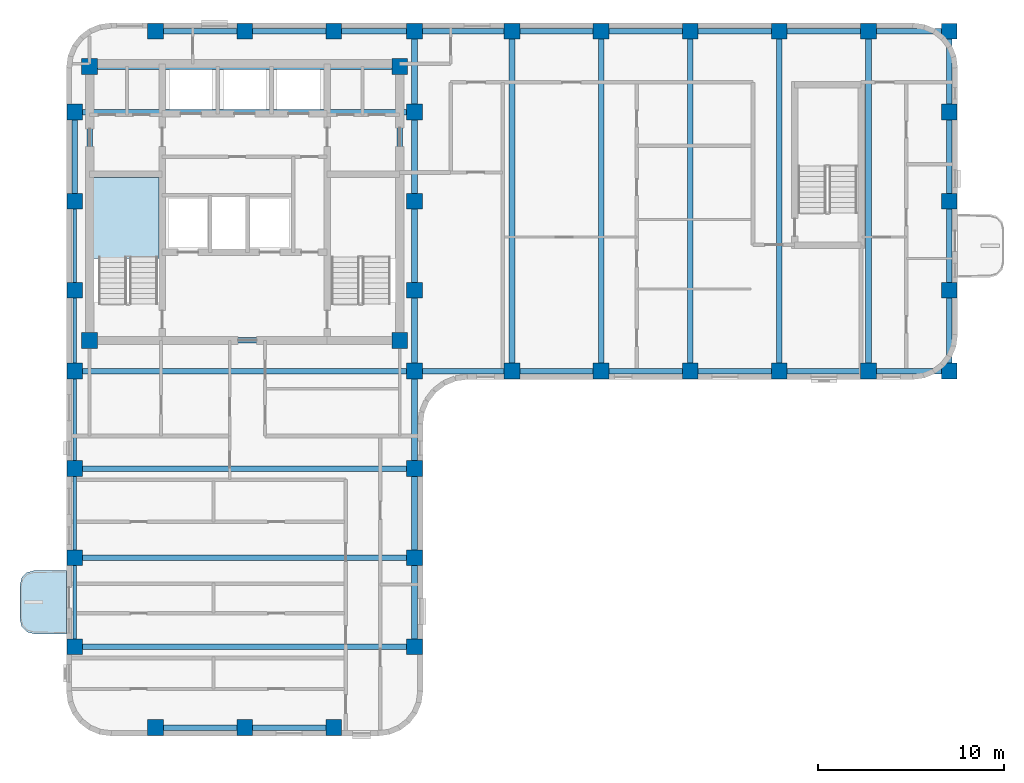
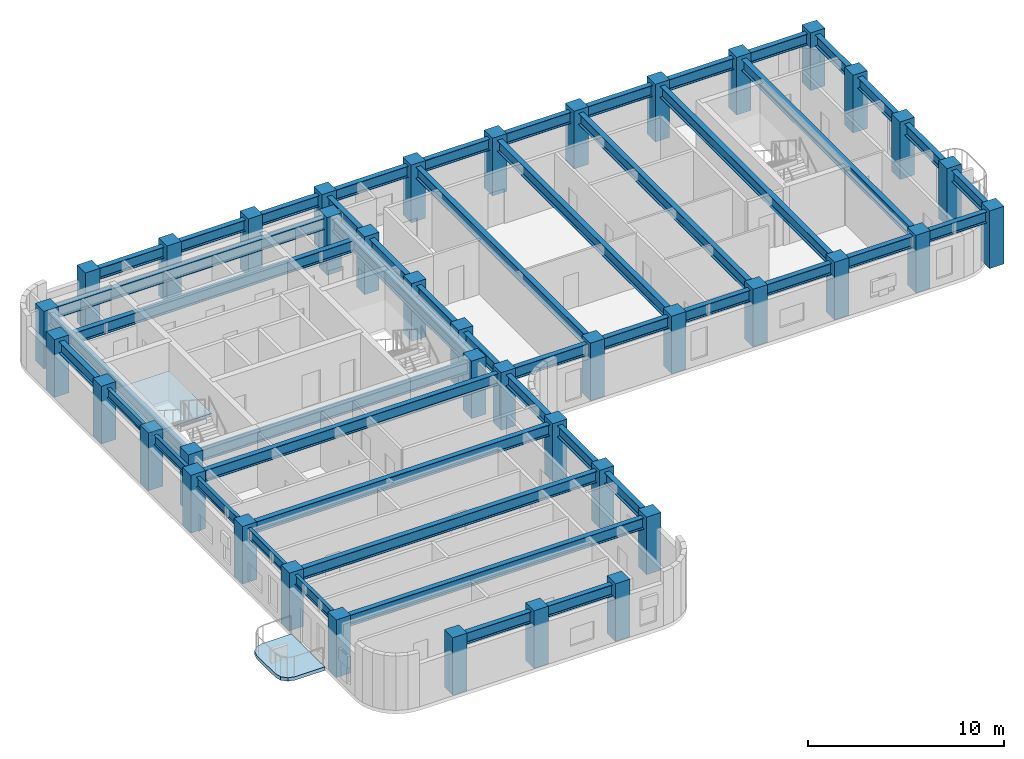
# One storey, part 1 of 10: 48 beams, 40 columns, 2 slabs, 1 element without a shape of its own.
"""IFC4 building model written with IfcOpenShell, lengths in metres."""

import ifcopenshell
import ifcopenshell.guid

model = None  # the IFC model being written
_history = None  # IfcOwnerHistory: only IFC2X3 demands one
_inside = {}  # id of a spatial element -> (the spatial element, [elements in it])
_under = {}  # id of a project, library or spatial element -> (it, [spatial elements below it])
_declared = {}  # id of a project -> (the project, [libraries it declares])
_typed = {}  # id of a type object -> (the type object, [elements of that type])
_made_of = {}  # id of a material, layer set ... -> (it, [elements and type objects made of it])


def new_model(schema):
    """Start an empty IFC model of exactly this schema.

    Asked for "IFC4X3", IfcOpenShell would pick the latest addendum, in which some entities
    have other attributes; the version numbers below select the first issue.
    IFC2X3 requires an IfcOwnerHistory on every rooted entity: one is made here for all.
    """
    global model, _history
    if schema == "IFC4X3":
        model = ifcopenshell.file(schema_version=(4, 3, 0, 0))
    else:
        model = ifcopenshell.file(schema=schema)
    _inside.clear()
    _under.clear()
    _declared.clear()
    _typed.clear()
    _made_of.clear()
    _history = None
    if model.schema == "IFC2X3":
        org = make("IfcOrganization", Name="unknown")
        user = make(
            "IfcPersonAndOrganization",
            ThePerson=make("IfcPerson", FamilyName="unknown"),
            TheOrganization=org,
        )
        app = make(
            "IfcApplication",
            ApplicationDeveloper=org,
            Version="unknown",
            ApplicationFullName="unknown",
            ApplicationIdentifier="unknown",
        )
        _history = make(
            "IfcOwnerHistory",
            OwningUser=user,
            OwningApplication=app,
            ChangeAction="ADDED",
            CreationDate=0,
        )
    return model


def make(cls, **values):
    """One entity of the class cls with the attributes given. An attribute that is None is left unset."""
    return model.create_entity(
        cls, **{name: value for name, value in values.items() if value is not None}
    )


def rooted(cls, **values):
    """An entity with a GlobalId (a new one), such as an element, a storey or a relation."""
    return make(cls, GlobalId=ifcopenshell.guid.new(), OwnerHistory=_history, **values)


def si_unit(unit_type, name, prefix=None):
    """IfcSIUnit, for example si_unit("LENGTHUNIT", "METRE", prefix="MILLI")."""
    return make("IfcSIUnit", UnitType=unit_type, Prefix=prefix, Name=name)


def assignment(units):
    """IfcUnitAssignment: the units of a project."""
    return None if units is None else make("IfcUnitAssignment", Units=units)


def point(xyz):
    """IfcCartesianPoint."""
    return None if xyz is None else make("IfcCartesianPoint", Coordinates=xyz)


def direction(xyz):
    """IfcDirection."""
    return None if xyz is None else make("IfcDirection", DirectionRatios=xyz)


def frame(location, z_axis=None, x_axis=None):
    """IfcAxis2Placement3D, a coordinate frame: its origin and axes. An axis left out is left unset."""
    return make(
        "IfcAxis2Placement3D",
        Location=point(location),
        Axis=direction(z_axis),
        RefDirection=direction(x_axis),
    )


def frame_2d(location, x_axis=None):
    """IfcAxis2Placement2D, a coordinate frame in the plane: its origin and x axis."""
    return make(
        "IfcAxis2Placement2D", Location=point(location), RefDirection=direction(x_axis)
    )


def origin():
    """The frame at (0, 0, 0) with its axes left unset."""
    return frame((0.0, 0.0, 0.0))


def origin_2d():
    """The frame at (0, 0) in the plane with its x axis left unset."""
    return frame_2d((0.0, 0.0))


def place(relative_to, where):
    """IfcLocalPlacement: puts the frame where relative to a parent placement (None: the world)."""
    return make(
        "IfcLocalPlacement", PlacementRelTo=relative_to, RelativePlacement=where
    )


def context(
    kind, dimensions, precision=None, world=None, true_north=None, identifier=None
):
    """IfcGeometricRepresentationContext, for example the 3D "Model" context."""
    return make(
        "IfcGeometricRepresentationContext",
        ContextIdentifier=identifier,
        ContextType=kind,
        CoordinateSpaceDimension=dimensions,
        Precision=precision,
        WorldCoordinateSystem=world,
        TrueNorth=true_north,
    )


def subcontext(parent, identifier, kind, view, scale=None):
    """IfcGeometricRepresentationSubContext, for example "Body" below "Model"."""
    return make(
        "IfcGeometricRepresentationSubContext",
        ContextIdentifier=identifier,
        ContextType=kind,
        ParentContext=parent,
        TargetScale=scale,
        TargetView=view,
    )


def project(units=None, contexts=None):
    """IfcProject with its units and contexts."""
    return rooted(
        "IfcProject",
        Name="project",
        RepresentationContexts=contexts,
        UnitsInContext=assignment(units),
    )


def spatial(cls, under=None, at=None, **own):
    """A site, building, storey or space (cls), placed at a placement, below another one or the project."""
    s = rooted(cls, ObjectPlacement=at, **own)
    if under is not None:
        _under.setdefault(under.id(), (under, []))[1].append(s)
    return s


def polyline(points):
    """IfcPolyline through the points."""
    return make("IfcPolyline", Points=[point(p) for p in points])


def profile(cls, at=None, kind="AREA", **sizes):
    """A parametric profile (cls). Its sizes go by their IFC names, for example OverallWidth=200.0."""
    return make(cls, ProfileType=kind, Position=at, **sizes)


def rectangle(**sizes):
    """IfcRectangleProfileDef."""
    return profile("IfcRectangleProfileDef", **sizes)


def i_section(**sizes):
    """IfcIShapeProfileDef."""
    return profile("IfcIShapeProfileDef", **sizes)


def outline(outer, holes=None, kind="AREA"):
    """IfcArbitraryClosedProfileDef: a profile drawn as a closed curve; with holes, ...WithVoids."""
    if holes is None:
        return make("IfcArbitraryClosedProfileDef", ProfileType=kind, OuterCurve=outer)
    return make(
        "IfcArbitraryProfileDefWithVoids",
        ProfileType=kind,
        OuterCurve=outer,
        InnerCurves=holes,
    )


def extrude(swept, where, along, depth):
    """IfcExtrudedAreaSolid: the profile swept, set in the frame where, extruded along a direction by depth."""
    return make(
        "IfcExtrudedAreaSolid",
        SweptArea=swept,
        Position=where,
        ExtrudedDirection=direction(along),
        Depth=depth,
    )


def shape(context_of_items, identifier, shape_type, items):
    """IfcShapeRepresentation: the items that make up one representation, for example the "Body"."""
    return make(
        "IfcShapeRepresentation",
        ContextOfItems=context_of_items,
        RepresentationIdentifier=identifier,
        RepresentationType=shape_type,
        Items=items,
    )


def material(Name=None, Category=None):
    """IfcMaterial."""
    return make("IfcMaterial", Name=Name, Category=Category)


def layer(
    of_material, thickness, ventilated=None, Name=None, Category=None, Priority=None
):
    """IfcMaterialLayer: one layer of a wall or slab, of a material (None: an air gap)."""
    return make(
        "IfcMaterialLayer",
        Material=of_material,
        LayerThickness=thickness,
        IsVentilated=ventilated,
        Name=Name,
        Category=Category,
        Priority=Priority,
    )


def layer_set(layers, Name=None):
    """IfcMaterialLayerSet."""
    return make("IfcMaterialLayerSet", MaterialLayers=layers, LayerSetName=Name)


def material_profile(
    of_material, cross_section, Name=None, Category=None, Priority=None
):
    """IfcMaterialProfile: a cross section and its material."""
    return make(
        "IfcMaterialProfile",
        Name=Name,
        Material=of_material,
        Profile=cross_section,
        Priority=Priority,
        Category=Category,
    )


def profile_set(profiles, Name=None, composite=None):
    """IfcMaterialProfileSet."""
    return make(
        "IfcMaterialProfileSet",
        Name=Name,
        MaterialProfiles=profiles,
        CompositeProfile=composite,
    )


def made_of(thing, what):
    """Note that an element or type object is made of a material, layer set ...; save() writes the relation."""
    if what is not None:
        _made_of.setdefault(what.id(), (what, []))[1].append(thing)
    return thing


def type_object(cls, material=None, **own):
    """A type object (cls), such as IfcWallType, which elements share."""
    return made_of(rooted(cls, **own), material)


def element(
    cls,
    number,
    at=None,
    inside=None,
    cuts=None,
    type_object=None,
    material=None,
    context=None,
    identifier="Body",
    shape_type=None,
    held_by="IfcProductDefinitionShape",
    body=None,
    shapes=None,
    **own,
):
    """One element of the class cls, such as IfcWall. Its Tag is "e" and its number.

    at: its placement. inside: the storey or other place that contains it. cuts: it is an
    opening in that element (IfcRelVoidsElement). A single representation is given by context,
    identifier, shape_type and body (its items); several are given by shapes. held_by: the class
    of the entity that holds the representations. save() writes the other relations.
    """
    e = rooted(cls, Tag="e%d" % number, ObjectPlacement=at, **own)
    if body is not None:
        shapes = [shape(context, identifier, shape_type, body)]
    if shapes is not None:
        e.Representation = make(held_by, Representations=shapes)
    if inside is not None:
        _inside.setdefault(inside.id(), (inside, []))[1].append(e)
    if cuts is not None:
        rooted(
            "IfcRelVoidsElement", RelatingBuildingElement=cuts, RelatedOpeningElement=e
        )
    if type_object is not None:
        _typed.setdefault(type_object.id(), (type_object, []))[1].append(e)
    return made_of(e, material)


def aggregate(whole, parts):
    """IfcRelAggregates: a whole, such as a stair, and the parts it consists of."""
    return rooted("IfcRelAggregates", RelatingObject=whole, RelatedObjects=parts)


def save(model, path):
    """Write the relations noted so far, then the file.

    IfcRelAggregates (storeys below a building ...), IfcRelContainedInSpatialStructure (elements
    in a storey), IfcRelDefinesByType, IfcRelAssociatesMaterial and IfcRelDeclares: one each for
    every whole, place, type object, material and project.
    """
    for whole, parts in _under.values():
        aggregate(whole, parts)
    for where, things in _inside.values():
        rooted(
            "IfcRelContainedInSpatialStructure",
            RelatedElements=things,
            RelatingStructure=where,
        )
    for kind, things in _typed.values():
        rooted("IfcRelDefinesByType", RelatedObjects=things, RelatingType=kind)
    for what, things in _made_of.values():
        rooted("IfcRelAssociatesMaterial", RelatedObjects=things, RelatingMaterial=what)
    for by, libraries in _declared.values():
        rooted("IfcRelDeclares", RelatingContext=by, RelatedDefinitions=libraries)
    model.write(path)


model = new_model("IFC4")

# Units and contexts
model_context = context("Model", 3, precision=1e-05, world=origin(), true_north=direction((0.0, 1.0)))
body_context = subcontext(model_context, "Body", "Model", "MODEL_VIEW")
ifc_project = project(units=[si_unit("LENGTHUNIT", "METRE"), si_unit("AREAUNIT", "SQUARE_METRE"), si_unit("VOLUMEUNIT", "CUBIC_METRE"), si_unit("PLANEANGLEUNIT", "RADIAN"), si_unit("MASSUNIT", "GRAM", prefix="KILO")], contexts=[model_context])

# Site, building, storey
site_placement = place(None, origin())
site = spatial("IfcSite", under=ifc_project, at=site_placement, CompositionType="ELEMENT")
building_placement = place(site_placement, origin())
building = spatial("IfcBuilding", under=site, at=building_placement, Name="Orvandelia Arch Residences", CompositionType="ELEMENT")
storey_placement = place(building_placement, frame((0.0, 0.0, 229.0)))
storey = spatial("IfcBuildingStorey", under=building, at=storey_placement, Name="L60", CompositionType="ELEMENT", Elevation=229.0)

# Columns
ifc_material_1 = material(Name="Concrete C60/75", Category="concrete")
ifc_material_profile_1 = material_profile(ifc_material_1, rectangle(XDim=0.85009765625, YDim=0.85009765625, at=origin_2d()), Name="Concrete C60/75", Category="concrete")
ifc_profile_set_1 = profile_set([ifc_material_profile_1], Name="Concrete C60/75")
column_type = type_object("IfcColumnType", Name="COL-TWR-850", PredefinedType="COLUMN", material=ifc_profile_set_1)
for number, where, z_axis, x_axis, name in (
    (1, (5.25, 14.39990234375, 0.0), (0.0, 0.0, 1.0), (1.0, 0.0, 0.0), "Structural Column L60-W-W-144"),
    (2, (5.25, 19.199951171875, 0.0), (0.0, 0.0, 1.0), (1.0, 0.0, 0.0), "Structural Column L60-W-W-192"),
    (3, (5.25, 24.0, 0.0), (0.0, 0.0, 1.0), (1.0, 0.0, 0.0), "Structural Column L60-W-W-240"),
    (4, (5.25, 29.25, 0.0), (0.0, 0.0, 1.0), (1.0, 0.0, 0.0), "Structural Column L60-W-W-292"),
    (5, (5.25, 33.60009765625, 0.0), (0.0, 0.0, 1.0), (1.0, 0.0, 0.0), "Structural Column L60-W-W-336"),
    (6, (5.25, 38.39990234375, 0.0), (0.0, 0.0, 1.0), (1.0, 0.0, 0.0), "Structural Column L60-W-W-384"),
    (7, (5.25, 43.199951171875, 0.0), (0.0, 0.0, 1.0), (1.0, 0.0, 0.0), "Structural Column L60-W-W-432"),
    (8, (6.050048828125, 30.89990234375, 0.0), (0.0, 0.0, 1.0), (1.0, 0.0, 0.0), "Structural Column L60-CR-SW"),
    (9, (6.050048828125, 45.64990234375, 0.0), (0.0, 0.0, 1.0), (1.0, 0.0, 0.0), "Structural Column L60-CR-NW"),
    (10, (9.60009765625, 10.050048828125, 0.0), (0.0, 0.0, 1.0), (1.0, 0.0, 0.0), "Structural Column L60-W-S-96"),
    (11, (9.60009765625, 47.550048828125, 0.0), (0.0, 0.0, 1.0), (1.0, 0.0, 0.0), "Structural Column L60-W-N-96"),
    (12, (14.39990234375, 10.050048828125, 0.0), (0.0, 0.0, 1.0), (1.0, 0.0, 0.0), "Structural Column L60-W-S-144"),
    (13, (14.39990234375, 47.550048828125, 0.0), (0.0, 0.0, 1.0), (1.0, 0.0, 0.0), "Structural Column L60-W-N-144"),
    (14, (19.199951171875, 10.050048828125, 0.0), (0.0, 0.0, 1.0), (1.0, 0.0, 0.0), "Structural Column L60-W-S-192"),
    (15, (19.199951171875, 47.550048828125, 0.0), (0.0, 0.0, 1.0), (1.0, 0.0, 0.0), "Structural Column L60-W-N-192"),
    (16, (22.75, 30.89990234375, 0.0), (0.0, 0.0, 1.0), (1.0, 0.0, 0.0), "Structural Column L60-CR-SE"),
    (17, (22.75, 45.64990234375, 0.0), (0.0, 0.0, 1.0), (1.0, 0.0, 0.0), "Structural Column L60-CR-NE"),
    (18, (23.550048828125, 14.39990234375, 0.0), (0.0, 0.0, 1.0), (1.0, 0.0, 0.0), "Structural Column L60-W-E-144"),
    (19, (23.550048828125, 19.199951171875, 0.0), (0.0, 0.0, 1.0), (1.0, 0.0, 0.0), "Structural Column L60-W-E-192"),
    (20, (23.550048828125, 24.0, 0.0), (0.0, 0.0, 1.0), (1.0, 0.0, 0.0), "Structural Column L60-W-E-240"),
    (21, (23.550048828125, 29.25, 0.0), (0.0, 0.0, 1.0), (1.0, 0.0, 0.0), "Structural Column L60-W-E-292"),
    (22, (23.550048828125, 33.60009765625, 0.0), (0.0, 0.0, 1.0), (1.0, 0.0, 0.0), "Structural Column L60-W-E-336"),
    (23, (23.550048828125, 38.39990234375, 0.0), (0.0, 0.0, 1.0), (1.0, 0.0, 0.0), "Structural Column L60-W-E-384"),
    (24, (23.550048828125, 43.199951171875, 0.0), (0.0, 0.0, 1.0), (1.0, 0.0, 0.0), "Structural Column L60-W-E-432"),
    (25, (23.550048828125, 47.550048828125, 0.0), (0.0, 0.0, 1.0), (1.0, 0.0, 0.0), "Structural Column L60-W-N-235"),
    (26, (28.800048828125, 29.25, 0.0), (0.0, 0.0, 1.0), (1.0, 0.0, 0.0), "Structural Column L60-E-S-288"),
    (27, (28.800048828125, 47.550048828125, 0.0), (0.0, 0.0, 1.0), (1.0, 0.0, 0.0), "Structural Column L60-E-N-288"),
    (28, (33.60009765625, 29.25, 0.0), (0.0, 0.0, 1.0), (1.0, 0.0, 0.0), "Structural Column L60-E-S-336"),
    (29, (33.60009765625, 47.550048828125, 0.0), (0.0, 0.0, 1.0), (1.0, 0.0, 0.0), "Structural Column L60-E-N-336"),
    (30, (38.39990234375, 29.25, 0.0), (0.0, 0.0, 1.0), (1.0, 0.0, 0.0), "Structural Column L60-E-S-384"),
    (31, (38.39990234375, 47.550048828125, 0.0), (0.0, 0.0, 1.0), (1.0, 0.0, 0.0), "Structural Column L60-E-N-384"),
    (32, (43.199951171875, 29.25, 0.0), (0.0, 0.0, 1.0), (1.0, 0.0, 0.0), "Structural Column L60-E-S-432"),
    (33, (43.199951171875, 47.550048828125, 0.0), (0.0, 0.0, 1.0), (1.0, 0.0, 0.0), "Structural Column L60-E-N-432"),
    (34, (48.0, 29.25, 0.0), (0.0, 0.0, 1.0), (1.0, 0.0, 0.0), "Structural Column L60-E-S-480"),
    (35, (48.0, 47.550048828125, 0.0), (0.0, 0.0, 1.0), (1.0, 0.0, 0.0), "Structural Column L60-E-N-480"),
    (36, (52.35009765625, 29.25, 0.0), (0.0, 0.0, 1.0), (1.0, 0.0, 0.0), "Structural Column L60-E-S-523"),
    (37, (52.35009765625, 33.60009765625, 0.0), (0.0, 0.0, 1.0), (1.0, 0.0, 0.0), "Structural Column L60-E-523-336"),
    (38, (52.35009765625, 38.39990234375, 0.0), (0.0, 0.0, 1.0), (1.0, 0.0, 0.0), "Structural Column L60-E-523-384"),
    (39, (52.35009765625, 43.199951171875, 0.0), (0.0, 0.0, 1.0), (1.0, 0.0, 0.0), "Structural Column L60-E-523-432"),
    (40, (52.35009765625, 47.550048828125, 0.0), (0.0, 0.0, 1.0), (1.0, 0.0, 0.0), "Structural Column L60-E-N-523"),
):
    element("IfcColumn", number, at=place(storey_placement, frame(where, z_axis=z_axis, x_axis=x_axis)), inside=storey, type_object=column_type, Name=name, PredefinedType="COLUMN", context=body_context, shape_type="SweptSolid", body=[
        extrude(rectangle(XDim=0.85009765625, YDim=0.85009765625, at=origin_2d()), origin(), (0.0, 0.0, 1.0), 3.60009765625),
    ])

# Beams
ifc_material_2 = material(Name="Structural Steel SM355 (355 MPa)", Category="steel")
ifc_material_profile_2 = material_profile(ifc_material_2, i_section(OverallWidth=0.300048828125, OverallDepth=0.699951171875, WebThickness=0.012939453125, FlangeThickness=0.02392578125, FilletRadius=0.02392578125, at=origin_2d()), Name="Structural Steel SM355 (355 MPa)", Category="steel")
ifc_profile_set_2 = profile_set([ifc_material_profile_2], Name="Structural Steel SM355 (355 MPa)")
beam_type_1 = type_object("IfcBeamType", Name="BM-GRD-H700", PredefinedType="BEAM", material=ifc_profile_set_2)
beam_1_placement = place(storey_placement, frame((5.25, 38.39990234375, 3.030029296875), z_axis=(0.0, 1.0, 0.0), x_axis=(-1.0, 0.0, 0.0)))
element("IfcBeam", 41, at=beam_1_placement, inside=storey, type_object=beam_type_1, Name="Structural Frame Beam L60-NS-006", PredefinedType="BEAM", context=body_context, shape_type="SweptSolid", body=[
    extrude(i_section(OverallWidth=0.300048828125, OverallDepth=0.699951171875, WebThickness=0.012939453125, FlangeThickness=0.02392578125, FilletRadius=0.02392578125, at=origin_2d()), origin(), (0.0, 0.0, 1.0), 4.800048828125),
])
for number, where, z_axis, x_axis, name in (
    (42, (6.050048828125, 30.89990234375, 3.030029296875), (0.0, 1.0, 0.0), (-1.0, 0.0, 0.0), "Structural Frame Beam L60-NS-007"),
    (43, (22.75, 30.89990234375, 3.030029296875), (0.0, 1.0, 0.0), (-1.0, 0.0, 0.0), "Structural Frame Beam L60-NS-008"),
):
    element("IfcBeam", number, at=place(storey_placement, frame(where, z_axis=z_axis, x_axis=x_axis)), inside=storey, type_object=beam_type_1, Name=name, PredefinedType="BEAM", context=body_context, shape_type="SweptSolid", body=[
        extrude(i_section(OverallWidth=0.300048828125, OverallDepth=0.699951171875, WebThickness=0.012939453125, FlangeThickness=0.02392578125, FilletRadius=0.02392578125, at=origin_2d()), origin(), (0.0, 0.0, 1.0), 14.75),
    ])
for number, where, z_axis, x_axis, name in (
    (44, (23.550048828125, 14.39990234375, 3.030029296875), (0.0, 1.0, 0.0), (-1.0, 0.0, 0.0), "Structural Frame Beam L60-NS-009"),
    (45, (23.550048828125, 19.199951171875, 3.030029296875), (0.0, 1.0, 0.0), (-1.0, 0.0, 0.0), "Structural Frame Beam L60-NS-010"),
):
    element("IfcBeam", number, at=place(storey_placement, frame(where, z_axis=z_axis, x_axis=x_axis)), inside=storey, type_object=beam_type_1, Name=name, PredefinedType="BEAM", context=body_context, shape_type="SweptSolid", body=[
        extrude(i_section(OverallWidth=0.300048828125, OverallDepth=0.699951171875, WebThickness=0.012939453125, FlangeThickness=0.02392578125, FilletRadius=0.02392578125, at=origin_2d()), origin(), (0.0, 0.0, 1.0), 4.800048828125),
    ])
beam_2_placement = place(storey_placement, frame((23.550048828125, 24.0, 3.030029296875), z_axis=(0.0, 1.0, 0.0), x_axis=(-1.0, 0.0, 0.0)))
element("IfcBeam", 46, at=beam_2_placement, inside=storey, type_object=beam_type_1, Name="Structural Frame Beam L60-NS-011", PredefinedType="BEAM", context=body_context, shape_type="SweptSolid", body=[
    extrude(i_section(OverallWidth=0.300048828125, OverallDepth=0.699951171875, WebThickness=0.012939453125, FlangeThickness=0.02392578125, FilletRadius=0.02392578125, at=origin_2d()), origin(), (0.0, 0.0, 1.0), 5.25),
])
beam_3_placement = place(storey_placement, frame((23.550048828125, 29.25, 3.030029296875), z_axis=(0.0, 1.0, 0.0), x_axis=(-1.0, 0.0, 0.0)))
element("IfcBeam", 47, at=beam_3_placement, inside=storey, type_object=beam_type_1, Name="Structural Frame Beam L60-NS-012", PredefinedType="BEAM", context=body_context, shape_type="SweptSolid", body=[
    extrude(i_section(OverallWidth=0.300048828125, OverallDepth=0.699951171875, WebThickness=0.012939453125, FlangeThickness=0.02392578125, FilletRadius=0.02392578125, at=origin_2d()), origin(), (0.0, 0.0, 1.0), 4.35009765625),
])
beam_4_placement = place(storey_placement, frame((23.550048828125, 33.60009765625, 3.030029296875), z_axis=(0.0, 1.0, 0.0), x_axis=(-1.0, 0.0, 0.0)))
element("IfcBeam", 48, at=beam_4_placement, inside=storey, type_object=beam_type_1, Name="Structural Frame Beam L60-NS-013", PredefinedType="BEAM", context=body_context, shape_type="SweptSolid", body=[
    extrude(i_section(OverallWidth=0.300048828125, OverallDepth=0.699951171875, WebThickness=0.012939453125, FlangeThickness=0.02392578125, FilletRadius=0.02392578125, at=origin_2d()), origin(), (0.0, 0.0, 1.0), 4.7998046875),
])
beam_5_placement = place(storey_placement, frame((23.550048828125, 38.39990234375, 3.030029296875), z_axis=(0.0, 1.0, 0.0), x_axis=(-1.0, 0.0, 0.0)))
element("IfcBeam", 49, at=beam_5_placement, inside=storey, type_object=beam_type_1, Name="Structural Frame Beam L60-NS-014", PredefinedType="BEAM", context=body_context, shape_type="SweptSolid", body=[
    extrude(i_section(OverallWidth=0.300048828125, OverallDepth=0.699951171875, WebThickness=0.012939453125, FlangeThickness=0.02392578125, FilletRadius=0.02392578125, at=origin_2d()), origin(), (0.0, 0.0, 1.0), 4.800048828125),
])
beam_6_placement = place(storey_placement, frame((23.550048828125, 43.199951171875, 3.030029296875), z_axis=(0.0, 1.0, 0.0), x_axis=(-1.0, 0.0, 0.0)))
element("IfcBeam", 50, at=beam_6_placement, inside=storey, type_object=beam_type_1, Name="Structural Frame Beam L60-NS-015", PredefinedType="BEAM", context=body_context, shape_type="SweptSolid", body=[
    extrude(i_section(OverallWidth=0.300048828125, OverallDepth=0.699951171875, WebThickness=0.012939453125, FlangeThickness=0.02392578125, FilletRadius=0.02392578125, at=origin_2d()), origin(), (0.0, 0.0, 1.0), 4.35009765625),
])
for number, where, z_axis, x_axis, name in (
    (51, (28.800048828125, 29.25, 3.030029296875), (0.0, 1.0, 0.0), (-1.0, 0.0, 0.0), "Structural Frame Beam L60-NS-016"),
    (52, (33.60009765625, 29.25, 3.030029296875), (0.0, 1.0, 0.0), (-1.0, 0.0, 0.0), "Structural Frame Beam L60-NS-017"),
    (53, (38.39990234375, 29.25, 3.030029296875), (0.0, 1.0, 0.0), (-1.0, 0.0, 0.0), "Structural Frame Beam L60-NS-018"),
    (54, (43.199951171875, 29.25, 3.030029296875), (0.0, 1.0, 0.0), (-1.0, 0.0, 0.0), "Structural Frame Beam L60-NS-019"),
    (55, (48.0, 29.25, 3.030029296875), (0.0, 1.0, 0.0), (-1.0, 0.0, 0.0), "Structural Frame Beam L60-NS-020"),
):
    element("IfcBeam", number, at=place(storey_placement, frame(where, z_axis=z_axis, x_axis=x_axis)), inside=storey, type_object=beam_type_1, Name=name, PredefinedType="BEAM", context=body_context, shape_type="SweptSolid", body=[
        extrude(i_section(OverallWidth=0.300048828125, OverallDepth=0.699951171875, WebThickness=0.012939453125, FlangeThickness=0.02392578125, FilletRadius=0.02392578125, at=origin_2d()), origin(), (0.0, 0.0, 1.0), 18.300048828125),
    ])
beam_7_placement = place(storey_placement, frame((52.35009765625, 29.25, 3.030029296875), z_axis=(0.0, 1.0, 0.0), x_axis=(-1.0, 0.0, 0.0)))
element("IfcBeam", 56, at=beam_7_placement, inside=storey, type_object=beam_type_1, Name="Structural Frame Beam L60-NS-021", PredefinedType="BEAM", context=body_context, shape_type="SweptSolid", body=[
    extrude(i_section(OverallWidth=0.300048828125, OverallDepth=0.699951171875, WebThickness=0.012939453125, FlangeThickness=0.02392578125, FilletRadius=0.02392578125, at=origin_2d()), origin(), (0.0, 0.0, 1.0), 4.35009765625),
])
beam_8_placement = place(storey_placement, frame((52.35009765625, 33.60009765625, 3.030029296875), z_axis=(0.0, 1.0, 0.0), x_axis=(-1.0, 0.0, 0.0)))
element("IfcBeam", 57, at=beam_8_placement, inside=storey, type_object=beam_type_1, Name="Structural Frame Beam L60-NS-022", PredefinedType="BEAM", context=body_context, shape_type="SweptSolid", body=[
    extrude(i_section(OverallWidth=0.300048828125, OverallDepth=0.699951171875, WebThickness=0.012939453125, FlangeThickness=0.02392578125, FilletRadius=0.02392578125, at=origin_2d()), origin(), (0.0, 0.0, 1.0), 4.7998046875),
])
beam_9_placement = place(storey_placement, frame((52.35009765625, 38.39990234375, 3.030029296875), z_axis=(0.0, 1.0, 0.0), x_axis=(-1.0, 0.0, 0.0)))
element("IfcBeam", 58, at=beam_9_placement, inside=storey, type_object=beam_type_1, Name="Structural Frame Beam L60-NS-023", PredefinedType="BEAM", context=body_context, shape_type="SweptSolid", body=[
    extrude(i_section(OverallWidth=0.300048828125, OverallDepth=0.699951171875, WebThickness=0.012939453125, FlangeThickness=0.02392578125, FilletRadius=0.02392578125, at=origin_2d()), origin(), (0.0, 0.0, 1.0), 4.800048828125),
])
beam_10_placement = place(storey_placement, frame((52.35009765625, 43.199951171875, 3.030029296875), z_axis=(0.0, 1.0, 0.0), x_axis=(-1.0, 0.0, 0.0)))
element("IfcBeam", 59, at=beam_10_placement, inside=storey, type_object=beam_type_1, Name="Structural Frame Beam L60-NS-024", PredefinedType="BEAM", context=body_context, shape_type="SweptSolid", body=[
    extrude(i_section(OverallWidth=0.300048828125, OverallDepth=0.699951171875, WebThickness=0.012939453125, FlangeThickness=0.02392578125, FilletRadius=0.02392578125, at=origin_2d()), origin(), (0.0, 0.0, 1.0), 4.35009765625),
])
beam_11_placement = place(storey_placement, frame((9.60009765625, 10.050048828125, 3.030029296875), z_axis=(1.0, 0.0, 0.0), x_axis=(0.0, 1.0, 0.0)))
element("IfcBeam", 60, at=beam_11_placement, inside=storey, type_object=beam_type_1, Name="Structural Frame Girder L60-EW-025", PredefinedType="BEAM", context=body_context, shape_type="SweptSolid", body=[
    extrude(i_section(OverallWidth=0.300048828125, OverallDepth=0.699951171875, WebThickness=0.012939453125, FlangeThickness=0.02392578125, FilletRadius=0.02392578125, at=origin_2d()), origin(), (0.0, 0.0, 1.0), 4.7998046875),
])
beam_12_placement = place(storey_placement, frame((14.39990234375, 10.050048828125, 3.030029296875), z_axis=(1.0, 0.0, 0.0), x_axis=(0.0, 1.0, 0.0)))
element("IfcBeam", 61, at=beam_12_placement, inside=storey, type_object=beam_type_1, Name="Structural Frame Girder L60-EW-026", PredefinedType="BEAM", context=body_context, shape_type="SweptSolid", body=[
    extrude(i_section(OverallWidth=0.300048828125, OverallDepth=0.699951171875, WebThickness=0.012939453125, FlangeThickness=0.02392578125, FilletRadius=0.02392578125, at=origin_2d()), origin(), (0.0, 0.0, 1.0), 4.800048828125),
])
for number, where, z_axis, x_axis, name in (
    (62, (5.25, 14.39990234375, 3.030029296875), (1.0, 0.0, 0.0), (0.0, 1.0, 0.0), "Structural Frame Girder L60-EW-027"),
    (63, (5.25, 19.199951171875, 3.030029296875), (1.0, 0.0, 0.0), (0.0, 1.0, 0.0), "Structural Frame Girder L60-EW-028"),
    (64, (5.25, 24.0, 3.030029296875), (1.0, 0.0, 0.0), (0.0, 1.0, 0.0), "Structural Frame Girder L60-EW-029"),
    (65, (5.25, 29.25, 3.030029296875), (1.0, 0.0, 0.0), (0.0, 1.0, 0.0), "Structural Frame Girder L60-EW-030"),
):
    element("IfcBeam", number, at=place(storey_placement, frame(where, z_axis=z_axis, x_axis=x_axis)), inside=storey, type_object=beam_type_1, Name=name, PredefinedType="BEAM", context=body_context, shape_type="SweptSolid", body=[
        extrude(i_section(OverallWidth=0.300048828125, OverallDepth=0.699951171875, WebThickness=0.012939453125, FlangeThickness=0.02392578125, FilletRadius=0.02392578125, at=origin_2d()), origin(), (0.0, 0.0, 1.0), 18.300048828125),
    ])
beam_13_placement = place(storey_placement, frame((23.550048828125, 29.25, 3.030029296875), z_axis=(1.0, 0.0, 0.0), x_axis=(0.0, 1.0, 0.0)))
element("IfcBeam", 66, at=beam_13_placement, inside=storey, type_object=beam_type_1, Name="Structural Frame Girder L60-EW-031", PredefinedType="BEAM", context=body_context, shape_type="SweptSolid", body=[
    extrude(i_section(OverallWidth=0.300048828125, OverallDepth=0.699951171875, WebThickness=0.012939453125, FlangeThickness=0.02392578125, FilletRadius=0.02392578125, at=origin_2d()), origin(), (0.0, 0.0, 1.0), 5.25),
])
beam_14_placement = place(storey_placement, frame((28.800048828125, 29.25, 3.030029296875), z_axis=(1.0, 0.0, 0.0), x_axis=(0.0, 1.0, 0.0)))
element("IfcBeam", 67, at=beam_14_placement, inside=storey, type_object=beam_type_1, Name="Structural Frame Girder L60-EW-032", PredefinedType="BEAM", context=body_context, shape_type="SweptSolid", body=[
    extrude(i_section(OverallWidth=0.300048828125, OverallDepth=0.699951171875, WebThickness=0.012939453125, FlangeThickness=0.02392578125, FilletRadius=0.02392578125, at=origin_2d()), origin(), (0.0, 0.0, 1.0), 4.800048828125),
])
beam_15_placement = place(storey_placement, frame((33.60009765625, 29.25, 3.030029296875), z_axis=(1.0, 0.0, 0.0), x_axis=(0.0, 1.0, 0.0)))
element("IfcBeam", 68, at=beam_15_placement, inside=storey, type_object=beam_type_1, Name="Structural Frame Girder L60-EW-033", PredefinedType="BEAM", context=body_context, shape_type="SweptSolid", body=[
    extrude(i_section(OverallWidth=0.300048828125, OverallDepth=0.699951171875, WebThickness=0.012939453125, FlangeThickness=0.02392578125, FilletRadius=0.02392578125, at=origin_2d()), origin(), (0.0, 0.0, 1.0), 4.7998046875),
])
for number, where, z_axis, x_axis, name in (
    (69, (38.39990234375, 29.25, 3.030029296875), (1.0, 0.0, 0.0), (0.0, 1.0, 0.0), "Structural Frame Girder L60-EW-034"),
    (70, (43.199951171875, 29.25, 3.030029296875), (1.0, 0.0, 0.0), (0.0, 1.0, 0.0), "Structural Frame Girder L60-EW-035"),
):
    element("IfcBeam", number, at=place(storey_placement, frame(where, z_axis=z_axis, x_axis=x_axis)), inside=storey, type_object=beam_type_1, Name=name, PredefinedType="BEAM", context=body_context, shape_type="SweptSolid", body=[
        extrude(i_section(OverallWidth=0.300048828125, OverallDepth=0.699951171875, WebThickness=0.012939453125, FlangeThickness=0.02392578125, FilletRadius=0.02392578125, at=origin_2d()), origin(), (0.0, 0.0, 1.0), 4.800048828125),
    ])
beam_16_placement = place(storey_placement, frame((48.0, 29.25, 3.030029296875), z_axis=(1.0, 0.0, 0.0), x_axis=(0.0, 1.0, 0.0)))
element("IfcBeam", 71, at=beam_16_placement, inside=storey, type_object=beam_type_1, Name="Structural Frame Girder L60-EW-036", PredefinedType="BEAM", context=body_context, shape_type="SweptSolid", body=[
    extrude(i_section(OverallWidth=0.300048828125, OverallDepth=0.699951171875, WebThickness=0.012939453125, FlangeThickness=0.02392578125, FilletRadius=0.02392578125, at=origin_2d()), origin(), (0.0, 0.0, 1.0), 4.35009765625),
])
beam_17_placement = place(storey_placement, frame((6.050048828125, 30.89990234375, 3.030029296875), z_axis=(1.0, 0.0, 0.0), x_axis=(0.0, 1.0, 0.0)))
element("IfcBeam", 72, at=beam_17_placement, inside=storey, type_object=beam_type_1, Name="Structural Frame Girder L60-EW-037", PredefinedType="BEAM", context=body_context, shape_type="SweptSolid", body=[
    extrude(i_section(OverallWidth=0.300048828125, OverallDepth=0.699951171875, WebThickness=0.012939453125, FlangeThickness=0.02392578125, FilletRadius=0.02392578125, at=origin_2d()), origin(), (0.0, 0.0, 1.0), 16.699951171875),
])
beam_18_placement = place(storey_placement, frame((5.25, 43.199951171875, 3.030029296875), z_axis=(1.0, 0.0, 0.0), x_axis=(0.0, 1.0, 0.0)))
element("IfcBeam", 73, at=beam_18_placement, inside=storey, type_object=beam_type_1, Name="Structural Frame Girder L60-EW-040", PredefinedType="BEAM", context=body_context, shape_type="SweptSolid", body=[
    extrude(i_section(OverallWidth=0.300048828125, OverallDepth=0.699951171875, WebThickness=0.012939453125, FlangeThickness=0.02392578125, FilletRadius=0.02392578125, at=origin_2d()), origin(), (0.0, 0.0, 1.0), 18.300048828125),
])
beam_19_placement = place(storey_placement, frame((6.050048828125, 45.64990234375, 3.030029296875), z_axis=(1.0, 0.0, 0.0), x_axis=(0.0, 1.0, 0.0)))
element("IfcBeam", 74, at=beam_19_placement, inside=storey, type_object=beam_type_1, Name="Structural Frame Girder L60-EW-041", PredefinedType="BEAM", context=body_context, shape_type="SweptSolid", body=[
    extrude(i_section(OverallWidth=0.300048828125, OverallDepth=0.699951171875, WebThickness=0.012939453125, FlangeThickness=0.02392578125, FilletRadius=0.02392578125, at=origin_2d()), origin(), (0.0, 0.0, 1.0), 16.699951171875),
])
beam_20_placement = place(storey_placement, frame((9.60009765625, 47.550048828125, 3.030029296875), z_axis=(1.0, 0.0, 0.0), x_axis=(0.0, 1.0, 0.0)))
element("IfcBeam", 75, at=beam_20_placement, inside=storey, type_object=beam_type_1, Name="Structural Frame Girder L60-EW-042", PredefinedType="BEAM", context=body_context, shape_type="SweptSolid", body=[
    extrude(i_section(OverallWidth=0.300048828125, OverallDepth=0.699951171875, WebThickness=0.012939453125, FlangeThickness=0.02392578125, FilletRadius=0.02392578125, at=origin_2d()), origin(), (0.0, 0.0, 1.0), 4.7998046875),
])
beam_21_placement = place(storey_placement, frame((14.39990234375, 47.550048828125, 3.030029296875), z_axis=(1.0, 0.0, 0.0), x_axis=(0.0, 1.0, 0.0)))
element("IfcBeam", 76, at=beam_21_placement, inside=storey, type_object=beam_type_1, Name="Structural Frame Girder L60-EW-043", PredefinedType="BEAM", context=body_context, shape_type="SweptSolid", body=[
    extrude(i_section(OverallWidth=0.300048828125, OverallDepth=0.699951171875, WebThickness=0.012939453125, FlangeThickness=0.02392578125, FilletRadius=0.02392578125, at=origin_2d()), origin(), (0.0, 0.0, 1.0), 4.800048828125),
])
beam_22_placement = place(storey_placement, frame((19.199951171875, 47.550048828125, 3.030029296875), z_axis=(1.0, 0.0, 0.0), x_axis=(0.0, 1.0, 0.0)))
element("IfcBeam", 77, at=beam_22_placement, inside=storey, type_object=beam_type_1, Name="Structural Frame Girder L60-EW-044", PredefinedType="BEAM", context=body_context, shape_type="SweptSolid", body=[
    extrude(i_section(OverallWidth=0.300048828125, OverallDepth=0.699951171875, WebThickness=0.012939453125, FlangeThickness=0.02392578125, FilletRadius=0.02392578125, at=origin_2d()), origin(), (0.0, 0.0, 1.0), 4.35009765625),
])
beam_23_placement = place(storey_placement, frame((23.550048828125, 47.550048828125, 3.030029296875), z_axis=(1.0, 0.0, 0.0), x_axis=(0.0, 1.0, 0.0)))
element("IfcBeam", 78, at=beam_23_placement, inside=storey, type_object=beam_type_1, Name="Structural Frame Girder L60-EW-045", PredefinedType="BEAM", context=body_context, shape_type="SweptSolid", body=[
    extrude(i_section(OverallWidth=0.300048828125, OverallDepth=0.699951171875, WebThickness=0.012939453125, FlangeThickness=0.02392578125, FilletRadius=0.02392578125, at=origin_2d()), origin(), (0.0, 0.0, 1.0), 5.25),
])
beam_24_placement = place(storey_placement, frame((28.800048828125, 47.550048828125, 3.030029296875), z_axis=(1.0, 0.0, 0.0), x_axis=(0.0, 1.0, 0.0)))
element("IfcBeam", 79, at=beam_24_placement, inside=storey, type_object=beam_type_1, Name="Structural Frame Girder L60-EW-046", PredefinedType="BEAM", context=body_context, shape_type="SweptSolid", body=[
    extrude(i_section(OverallWidth=0.300048828125, OverallDepth=0.699951171875, WebThickness=0.012939453125, FlangeThickness=0.02392578125, FilletRadius=0.02392578125, at=origin_2d()), origin(), (0.0, 0.0, 1.0), 4.800048828125),
])
beam_25_placement = place(storey_placement, frame((33.60009765625, 47.550048828125, 3.030029296875), z_axis=(1.0, 0.0, 0.0), x_axis=(0.0, 1.0, 0.0)))
element("IfcBeam", 80, at=beam_25_placement, inside=storey, type_object=beam_type_1, Name="Structural Frame Girder L60-EW-047", PredefinedType="BEAM", context=body_context, shape_type="SweptSolid", body=[
    extrude(i_section(OverallWidth=0.300048828125, OverallDepth=0.699951171875, WebThickness=0.012939453125, FlangeThickness=0.02392578125, FilletRadius=0.02392578125, at=origin_2d()), origin(), (0.0, 0.0, 1.0), 4.7998046875),
])
for number, where, z_axis, x_axis, name in (
    (81, (38.39990234375, 47.550048828125, 3.030029296875), (1.0, 0.0, 0.0), (0.0, 1.0, 0.0), "Structural Frame Girder L60-EW-048"),
    (82, (43.199951171875, 47.550048828125, 3.030029296875), (1.0, 0.0, 0.0), (0.0, 1.0, 0.0), "Structural Frame Girder L60-EW-049"),
):
    element("IfcBeam", number, at=place(storey_placement, frame(where, z_axis=z_axis, x_axis=x_axis)), inside=storey, type_object=beam_type_1, Name=name, PredefinedType="BEAM", context=body_context, shape_type="SweptSolid", body=[
        extrude(i_section(OverallWidth=0.300048828125, OverallDepth=0.699951171875, WebThickness=0.012939453125, FlangeThickness=0.02392578125, FilletRadius=0.02392578125, at=origin_2d()), origin(), (0.0, 0.0, 1.0), 4.800048828125),
    ])
beam_26_placement = place(storey_placement, frame((48.0, 47.550048828125, 3.030029296875), z_axis=(1.0, 0.0, 0.0), x_axis=(0.0, 1.0, 0.0)))
element("IfcBeam", 83, at=beam_26_placement, inside=storey, type_object=beam_type_1, Name="Structural Frame Girder L60-EW-050", PredefinedType="BEAM", context=body_context, shape_type="SweptSolid", body=[
    extrude(i_section(OverallWidth=0.300048828125, OverallDepth=0.699951171875, WebThickness=0.012939453125, FlangeThickness=0.02392578125, FilletRadius=0.02392578125, at=origin_2d()), origin(), (0.0, 0.0, 1.0), 4.35009765625),
])
ifc_material_profile_3 = material_profile(ifc_material_2, i_section(OverallWidth=0.199951171875, OverallDepth=0.60009765625, WebThickness=0.010986328125, FlangeThickness=0.01708984375, FilletRadius=0.02197265625, at=origin_2d()), Name="Structural Steel SM355 (355 MPa)", Category="steel")
ifc_profile_set_3 = profile_set([ifc_material_profile_3], Name="Structural Steel SM355 (355 MPa)")
beam_type_2 = type_object("IfcBeamType", Name="BM-SPN-H600", PredefinedType="SPANDREL", material=ifc_profile_set_3)
for number, where, z_axis, x_axis, name in (
    (84, (5.25, 14.39990234375, 3.080078125), (0.0, 1.0, 0.0), (-1.0, 0.0, 0.0), "Structural Frame Beam L60-NS-001"),
    (85, (5.25, 19.199951171875, 3.080078125), (0.0, 1.0, 0.0), (-1.0, 0.0, 0.0), "Structural Frame Beam L60-NS-002"),
):
    element("IfcBeam", number, at=place(storey_placement, frame(where, z_axis=z_axis, x_axis=x_axis)), inside=storey, type_object=beam_type_2, Name=name, PredefinedType="SPANDREL", context=body_context, shape_type="SweptSolid", body=[
        extrude(i_section(OverallWidth=0.199951171875, OverallDepth=0.60009765625, WebThickness=0.010986328125, FlangeThickness=0.01708984375, FilletRadius=0.02197265625, at=origin_2d()), origin(), (0.0, 0.0, 1.0), 4.800048828125),
    ])
beam_27_placement = place(storey_placement, frame((5.25, 24.0, 3.080078125), z_axis=(0.0, 1.0, 0.0), x_axis=(-1.0, 0.0, 0.0)))
element("IfcBeam", 86, at=beam_27_placement, inside=storey, type_object=beam_type_2, Name="Structural Frame Beam L60-NS-003", PredefinedType="SPANDREL", context=body_context, shape_type="SweptSolid", body=[
    extrude(i_section(OverallWidth=0.199951171875, OverallDepth=0.60009765625, WebThickness=0.010986328125, FlangeThickness=0.01708984375, FilletRadius=0.02197265625, at=origin_2d()), origin(), (0.0, 0.0, 1.0), 5.25),
])
beam_28_placement = place(storey_placement, frame((5.25, 29.25, 3.080078125), z_axis=(0.0, 1.0, 0.0), x_axis=(-1.0, 0.0, 0.0)))
element("IfcBeam", 87, at=beam_28_placement, inside=storey, type_object=beam_type_2, Name="Structural Frame Beam L60-NS-004", PredefinedType="SPANDREL", context=body_context, shape_type="SweptSolid", body=[
    extrude(i_section(OverallWidth=0.199951171875, OverallDepth=0.60009765625, WebThickness=0.010986328125, FlangeThickness=0.01708984375, FilletRadius=0.02197265625, at=origin_2d()), origin(), (0.0, 0.0, 1.0), 4.35009765625),
])
beam_29_placement = place(storey_placement, frame((5.25, 33.60009765625, 3.080078125), z_axis=(0.0, 1.0, 0.0), x_axis=(-1.0, 0.0, 0.0)))
element("IfcBeam", 88, at=beam_29_placement, inside=storey, type_object=beam_type_2, Name="Structural Frame Beam L60-NS-005", PredefinedType="SPANDREL", context=body_context, shape_type="SweptSolid", body=[
    extrude(i_section(OverallWidth=0.199951171875, OverallDepth=0.60009765625, WebThickness=0.010986328125, FlangeThickness=0.01708984375, FilletRadius=0.02197265625, at=origin_2d()), origin(), (0.0, 0.0, 1.0), 4.7998046875),
])

# Slab
ifc_material_3 = material(Name="Precast concrete C40/50", Category="concrete")
ifc_layer_1 = layer(ifc_material_3, 0.219970703125, Name="Precast concrete C40/50", Category="concrete")
ifc_layer_set_1 = layer_set([ifc_layer_1], Name="Precast concrete C40/50")
slab_type_1 = type_object("IfcSlabType", Name="SLB-BAL-220", PredefinedType="USERDEFINED", material=ifc_layer_set_1)
slab_1_placement = place(storey_placement, frame((0.0, 0.0, -0.219970703125)))
element("IfcSlab", 89, at=slab_1_placement, inside=storey, type_object=slab_type_1, Name="Tree Balcony Cantilever Slab BAL-L60-W1", ObjectType="BALCONY", PredefinedType="USERDEFINED", context=body_context, shape_type="SweptSolid", body=[
    extrude(outline(polyline([(4.800048828125, 15.10009765625), (4.800048828125, 18.5), (3.050048828125, 18.5), (2.675048828125, 18.3994140625), (2.400390625, 18.125), (2.300048828125, 17.75), (2.300048828125, 15.85009765625), (2.400390625, 15.47509765625), (2.675048828125, 15.200439453125), (3.050048828125, 15.10009765625), (4.800048828125, 15.10009765625)])), origin(), (0.0, 0.0, 1.0), 0.219970703125),
])

# Stair, slab
ifc_material_4 = material(Name="Concrete C40/50", Category="concrete")
stair_type = type_object("IfcStairType", Name="STAIR-RC-DOGLEG", PredefinedType="HALF_TURN_STAIR", material=ifc_material_4)
stair_placement = place(storey_placement, origin())
stair = element("IfcStair", 90, at=stair_placement, inside=storey, type_object=stair_type, Name="L60 Protected Exit Stair ST-1", PredefinedType="HALF_TURN_STAIR")
ifc_layer_2 = layer(ifc_material_4, 0.219970703125, Name="Concrete C40/50", Category="concrete")
ifc_layer_set_2 = layer_set([ifc_layer_2], Name="Concrete C40/50")
slab_type_2 = type_object("IfcSlabType", Name="SLB-LANDING-220", PredefinedType="LANDING", material=ifc_layer_set_2)
slab_2_placement = place(storey_placement, frame((0.0, 0.0, 1.60009765625)))
slab_2 = element("IfcSlab", 91, at=slab_2_placement, type_object=slab_type_2, Name="ST-1 landing 1", PredefinedType="LANDING", context=body_context, shape_type="SweptSolid", body=[
    extrude(outline(polyline([(9.800048828125, 35.31005859375), (9.800048828125, 39.68994140625), (6.260009765625, 39.68994140625), (6.260009765625, 35.31005859375), (9.800048828125, 35.31005859375)])), origin(), (0.0, 0.0, 1.0), 0.199951171875),
])
aggregate(stair, [slab_2])

save(model, "model.ifc")
